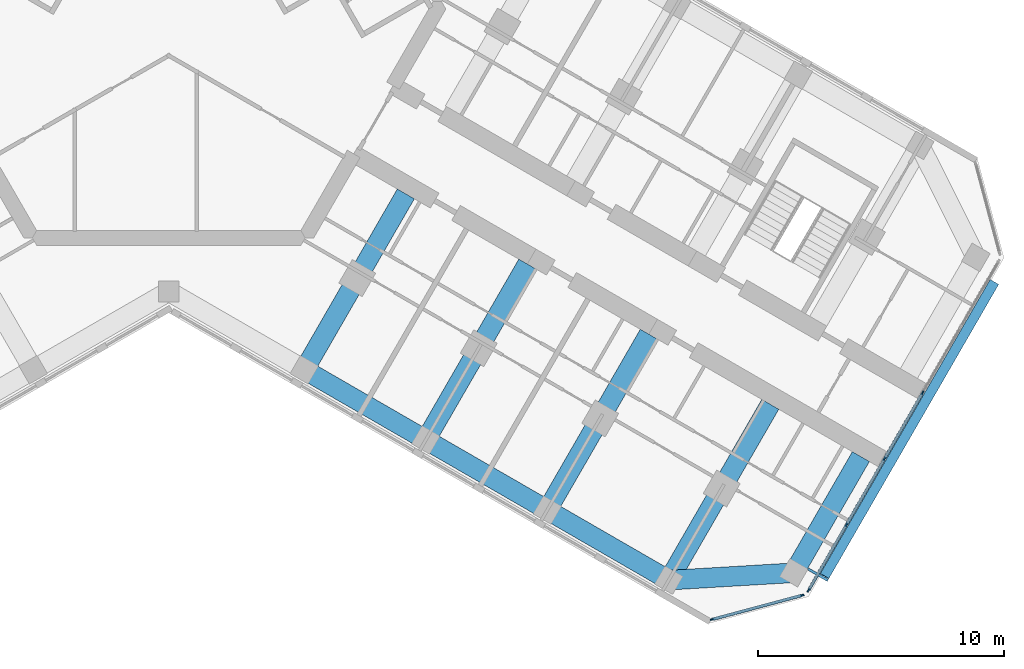
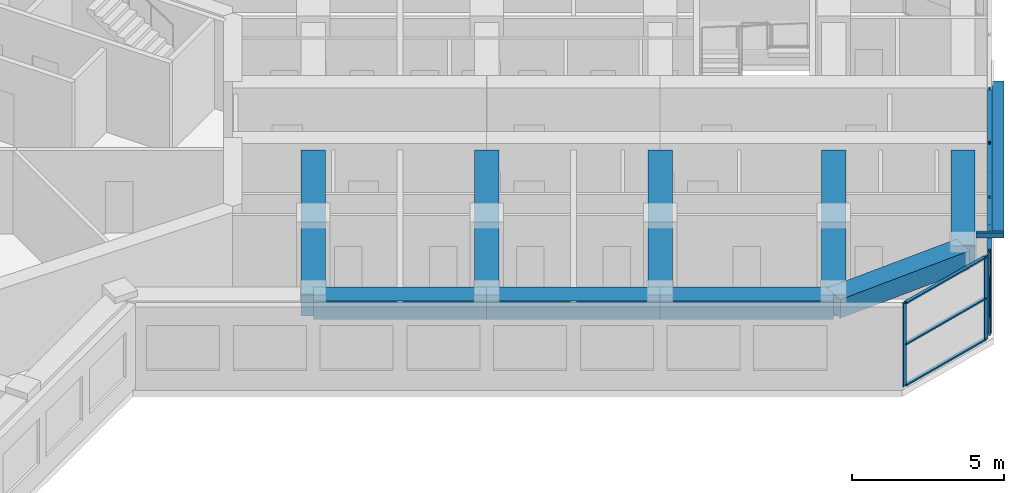
# One storey, part 4 of 16: 17 members, 9 beams, 2 elements without a shape of their own.
"""IFC4 building model written with IfcOpenShell, lengths in metres."""

from ifc_helpers import new_model, si_unit, direction, frame, origin, origin_2d, place, context, subcontext, project, spatial, rectangle, hollow_rectangle, extrude, material, material_profile, profile_set, type_object, element, aggregate, save


model = new_model("IFC4")

# Units and contexts
model_context = context("Model", 3, precision=1e-05, world=origin(), true_north=direction((0.0, 1.0)))
body_context = subcontext(model_context, "Body", "Model", "MODEL_VIEW")
ifc_project = project(units=[si_unit("LENGTHUNIT", "METRE"), si_unit("AREAUNIT", "SQUARE_METRE"), si_unit("VOLUMEUNIT", "CUBIC_METRE"), si_unit("PLANEANGLEUNIT", "RADIAN"), si_unit("MASSUNIT", "GRAM", prefix="KILO")], contexts=[model_context])

# Site, building, storey
site_placement = place(None, origin())
site = spatial("IfcSite", under=ifc_project, at=site_placement, CompositionType="ELEMENT")
building_placement = place(site_placement, origin())
building = spatial("IfcBuilding", under=site, at=building_placement, Name="Kosmar Iwan School Tower", CompositionType="ELEMENT")
storey_placement = place(building_placement, frame((0.0, 0.0, 249.60009765625)))
storey = spatial("IfcBuildingStorey", under=building, at=storey_placement, Name="L63", CompositionType="ELEMENT", Elevation=249.60009765625)

# Members
ifc_material_1 = material(Name="Black anodised aluminium", Category="aluminium")
ifc_material_profile_1 = material_profile(ifc_material_1, rectangle(XDim=0.10009765625, YDim=0.39990234375, at=origin_2d()), Name="FIN 100x400")
ifc_profile_set_1 = profile_set([ifc_material_profile_1], Name="Black anodised aluminium")
member_type_1 = type_object("IfcMemberType", Name="Diagonal fin 100x400", PredefinedType="USERDEFINED", material=ifc_profile_set_1)
member_1_placement = place(storey_placement, frame((33.54345703125, -11.40087890625, -0.150146484375), z_axis=(-0.483793446988, -0.837970316603, 0.25248692866), x_axis=(0.126241714543, 0.218661104574, 0.96760030532)))
element("IfcMember", 1, at=member_1_placement, inside=storey, type_object=member_type_1, Name="Diagonal fin L63-F01", ObjectType="FIN", PredefinedType="USERDEFINED", context=body_context, shape_type="SweptSolid", body=[
    extrude(rectangle(XDim=0.10009765625, YDim=0.39990234375, at=origin_2d()), origin(), (0.0, 0.0, 1.0), 14.258544921875),
])
ifc_material_2 = material(Name="Steel S355", Category="steel")
ifc_material_profile_2 = material_profile(ifc_material_2, hollow_rectangle(XDim=0.10009765625, YDim=0.199951171875, WallThickness=0.008056640625, at=origin_2d()), Name="RHS 200x100x8")
ifc_profile_set_2 = profile_set([ifc_material_profile_2], Name="Steel S355")
member_type_2 = type_object("IfcMemberType", Name="Fin bracket RHS 200x100", PredefinedType="USERDEFINED", material=ifc_profile_set_2)
member_2_placement = place(storey_placement, frame((25.97900390625, -23.052978515625, 3.474853515625), z_axis=(0.865943820382, -0.500141279983, 0.0), x_axis=(0.500141279983, 0.865943820382, 0.0)))
element("IfcMember", 2, at=member_2_placement, inside=storey, type_object=member_type_2, Name="Fin bracket L64", ObjectType="FIN BRACKET", PredefinedType="USERDEFINED", context=body_context, shape_type="SweptSolid", body=[
    extrude(hollow_rectangle(XDim=0.10009765625, YDim=0.199951171875, WallThickness=0.008056640625, at=origin_2d()), origin(), (0.0, 0.0, 1.0), 0.925048828125),
])

# Curtain wall, members
ifc_material_3 = material(Name="Dark glass in black aluminium frame", Category="aluminium")
curtain_wall_type_1 = type_object("IfcCurtainWallType", Name="Chamfer curtain wall dark glass", PredefinedType="USERDEFINED", material=ifc_material_3)
curtain_wall_1_placement = place(storey_placement, origin())
curtain_wall_1 = element("IfcCurtainWall", 3, at=curtain_wall_1_placement, inside=storey, type_object=curtain_wall_type_1, Name="Curtain wall L63-F00", ObjectType="FACETED CURTAIN WALL", PredefinedType="USERDEFINED")
ifc_material_4 = material(Name="Black anodised aluminium", Category="aluminium")
ifc_material_profile_3 = material_profile(ifc_material_4, rectangle(XDim=0.06005859375, YDim=0.159912109375, at=origin_2d()), Name="MULLION 60x160")
ifc_profile_set_3 = profile_set([ifc_material_profile_3], Name="Black anodised aluminium")
member_type_3 = type_object("IfcMemberType", Name="Mullion 60x160", PredefinedType="MULLION", material=ifc_profile_set_3)
member_3_placement = place(storey_placement, frame((22.0830078125, -25.102294921875, 0.0), z_axis=(0.0, 0.0, 1.0), x_axis=(-0.258818861462, 0.965925875495, 0.0)))
member_3 = element("IfcMember", 4, at=member_3_placement, type_object=member_type_3, Name="CW2 mullion 1", PredefinedType="MULLION", context=body_context, shape_type="SweptSolid", body=[
    extrude(rectangle(XDim=0.06005859375, YDim=0.159912109375, at=origin_2d()), origin(), (0.0, 0.0, 1.0), 3.349853515625),
])
member_4_placement = place(storey_placement, frame((25.733154296875, -24.124267578125, 0.0), z_axis=(0.0, 0.0, 1.0), x_axis=(-0.258818861462, 0.965925875495, 0.0)))
member_4 = element("IfcMember", 5, at=member_4_placement, type_object=member_type_3, Name="CW2 mullion 2", PredefinedType="MULLION", context=body_context, shape_type="SweptSolid", body=[
    extrude(rectangle(XDim=0.06005859375, YDim=0.159912109375, at=origin_2d()), origin(), (0.0, 0.0, 1.0), 3.349853515625),
])

ifc_material_5 = material(Name="Dark glass in black aluminium frame", Category="aluminium")
curtain_wall_type_2 = type_object("IfcCurtainWallType", Name="Tower curtain wall dark glass", PredefinedType="USERDEFINED", material=ifc_material_5)
curtain_wall_2_placement = place(storey_placement, origin())
curtain_wall_2 = element("IfcCurtainWall", 6, at=curtain_wall_2_placement, inside=storey, type_object=curtain_wall_type_2, Name="Curtain wall L63-F01", ObjectType="UNITISED CURTAIN WALL", PredefinedType="USERDEFINED")
member_5_placement = place(storey_placement, frame((25.9970703125, -23.921630859375, 0.0), z_axis=(0.0, 0.0, 1.0), x_axis=(-0.866025405329, 0.499999997325, 0.0)))
member_5 = element("IfcMember", 7, at=member_5_placement, type_object=member_type_3, Name="CW1 mullion 1", PredefinedType="MULLION", context=body_context, shape_type="SweptSolid", body=[
    extrude(rectangle(XDim=0.06005859375, YDim=0.159912109375, at=origin_2d()), origin(), (0.0, 0.0, 1.0), 3.349853515625),
])
member_6_placement = place(storey_placement, frame((27.53173828125, -21.263671875, 0.0), z_axis=(0.0, 0.0, 1.0), x_axis=(-0.866025405329, 0.499999997325, 0.0)))
member_6 = element("IfcMember", 8, at=member_6_placement, type_object=member_type_3, Name="CW1 mullion 2", PredefinedType="MULLION", context=body_context, shape_type="SweptSolid", body=[
    extrude(rectangle(XDim=0.06005859375, YDim=0.159912109375, at=origin_2d()), origin(), (0.0, 0.0, 1.0), 3.349853515625),
])
member_7_placement = place(storey_placement, frame((29.081298828125, -18.57958984375, 0.0), z_axis=(0.0, 0.0, 1.0), x_axis=(-0.866025405329, 0.499999997325, 0.0)))
member_7 = element("IfcMember", 9, at=member_7_placement, type_object=member_type_3, Name="CW1 mullion 3", PredefinedType="MULLION", context=body_context, shape_type="SweptSolid", body=[
    extrude(rectangle(XDim=0.06005859375, YDim=0.159912109375, at=origin_2d()), origin(), (0.0, 0.0, 1.0), 3.349853515625),
])
member_8_placement = place(storey_placement, frame((30.631103515625, -15.8955078125, 0.0), z_axis=(0.0, 0.0, 1.0), x_axis=(-0.866025405329, 0.499999997325, 0.0)))
member_8 = element("IfcMember", 10, at=member_8_placement, type_object=member_type_3, Name="CW1 mullion 4", PredefinedType="MULLION", context=body_context, shape_type="SweptSolid", body=[
    extrude(rectangle(XDim=0.06005859375, YDim=0.159912109375, at=origin_2d()), origin(), (0.0, 0.0, 1.0), 3.349853515625),
])

# Beams
ifc_material_6 = material(Name="Concrete C50/60", Category="concrete")
ifc_material_profile_4 = material_profile(ifc_material_6, rectangle(XDim=0.800048828125, YDim=0.75, at=origin_2d()), Name="RC 800x750")
ifc_profile_set_4 = profile_set([ifc_material_profile_4], Name="Concrete C50/60")
beam_type_1 = type_object("IfcBeamType", Name="RC edge beam 800x750", PredefinedType="BEAM", material=ifc_profile_set_4)
beam_1_placement = place(storey_placement, frame((5.5087890625, -14.95849609375, 2.974853515625), z_axis=(0.866033658841, -0.49998570155, 0.0), x_axis=(0.49998570155, 0.866033658841, 0.0)))
element("IfcBeam", 11, at=beam_1_placement, inside=storey, type_object=beam_type_1, Name="Edge beam CR2", PredefinedType="BEAM", context=body_context, shape_type="SweptSolid", body=[
    extrude(rectangle(XDim=0.800048828125, YDim=0.75, at=origin_2d()), origin(), (0.0, 0.0, 1.0), 5.699951171875),
])
beam_2_placement = place(storey_placement, frame((10.445068359375, -17.808349609375, 2.974853515625), z_axis=(0.866025820012, -0.499999279071, 0.0), x_axis=(0.499999279071, 0.866025820012, 0.0)))
element("IfcBeam", 12, at=beam_2_placement, inside=storey, type_object=beam_type_1, Name="Edge beam CR3", PredefinedType="BEAM", context=body_context, shape_type="SweptSolid", body=[
    extrude(rectangle(XDim=0.800048828125, YDim=0.75, at=origin_2d()), origin(), (0.0, 0.0, 1.0), 5.7001953125),
])
beam_3_placement = place(storey_placement, frame((15.381591796875, -20.658447265625, 2.974853515625), z_axis=(0.866015111908, -0.50001782563, 0.0), x_axis=(0.50001782563, 0.866015111908, 0.0)))
element("IfcBeam", 13, at=beam_3_placement, inside=storey, type_object=beam_type_1, Name="Edge beam CR4", PredefinedType="BEAM", context=body_context, shape_type="SweptSolid", body=[
    extrude(rectangle(XDim=0.800048828125, YDim=0.75, at=origin_2d()), origin(), (0.0, 0.0, 1.0), 5.699951171875),
])
ifc_material_7 = material(Name="Concrete C50/60", Category="concrete")
ifc_material_profile_5 = material_profile(ifc_material_7, rectangle(XDim=0.800048828125, YDim=0.75, at=origin_2d()), Name="RC 800x750")
ifc_profile_set_5 = profile_set([ifc_material_profile_5], Name="Concrete C50/60")
beam_type_2 = type_object("IfcBeamType", Name="RC tip beam 800x750", PredefinedType="BEAM", material=ifc_profile_set_5)
beam_4_placement = place(storey_placement, frame((20.31787109375, -23.508544921875, 2.974853515625), z_axis=(0.998260616478, 0.058955420358, 0.0), x_axis=(-0.058955420358, 0.998260616478, 0.0)))
element("IfcBeam", 14, at=beam_4_placement, inside=storey, type_object=beam_type_2, Name="Tip beam CR", PredefinedType="BEAM", context=body_context, shape_type="SweptSolid", body=[
    extrude(rectangle(XDim=0.800048828125, YDim=0.75, at=origin_2d()), origin(), (0.0, 0.0, 1.0), 5.08935546875),
])
beam_5_placement = place(storey_placement, frame((25.3984375, -23.20849609375, 2.974853515625), z_axis=(0.500022328685, 0.866012511928, 0.0), x_axis=(-0.866012511928, 0.500022328685, 0.0)))
element("IfcBeam", 15, at=beam_5_placement, inside=storey, type_object=beam_type_2, Name="Tip beam CR to corridor wall", PredefinedType="BEAM", context=body_context, shape_type="SweptSolid", body=[
    extrude(rectangle(XDim=0.800048828125, YDim=0.75, at=origin_2d()), origin(), (0.0, 0.0, 1.0), 5.449951171875),
])
ifc_material_8 = material(Name="Concrete C50/60", Category="concrete")
ifc_material_profile_6 = material_profile(ifc_material_8, rectangle(XDim=0.800048828125, YDim=0.89990234375, at=origin_2d()), Name="RC 800x900")
ifc_profile_set_6 = profile_set([ifc_material_profile_6], Name="Concrete C50/60")
beam_type_3 = type_object("IfcBeamType", Name="RC transverse beam 800x900", PredefinedType="BEAM", material=ifc_profile_set_6)
beam_6_placement = place(storey_placement, frame((5.5087890625, -14.95849609375, 2.89990234375), z_axis=(0.499996545922, 0.866027397988, 0.0), x_axis=(-0.866027397988, 0.499996545922, 0.0)))
element("IfcBeam", 16, at=beam_6_placement, inside=storey, type_object=beam_type_3, Name="Transverse beam CR1", PredefinedType="BEAM", context=body_context, shape_type="SweptSolid", body=[
    extrude(rectangle(XDim=0.800048828125, YDim=0.89990234375, at=origin_2d()), origin(), (0.0, 0.0, 1.0), 8.25),
])
beam_7_placement = place(storey_placement, frame((10.445068359375, -17.808349609375, 2.89990234375), z_axis=(0.500009360108, 0.866019999656, 0.0), x_axis=(-0.866019999656, 0.500009360108, 0.0)))
element("IfcBeam", 17, at=beam_7_placement, inside=storey, type_object=beam_type_3, Name="Transverse beam CR2", PredefinedType="BEAM", context=body_context, shape_type="SweptSolid", body=[
    extrude(rectangle(XDim=0.800048828125, YDim=0.89990234375, at=origin_2d()), origin(), (0.0, 0.0, 1.0), 8.249755859375),
])
for number, where, z_axis, x_axis, name in (
    (18, (15.381591796875, -20.658447265625, 2.89990234375), (0.499996545922, 0.866027397988, 0.0), (-0.866027397988, 0.499996545922, 0.0), "Transverse beam CR3"),
    (19, (20.31787109375, -23.508544921875, 2.89990234375), (0.499996545922, 0.866027397988, 0.0), (-0.866027397988, 0.499996545922, 0.0), "Transverse beam CR4"),
):
    element("IfcBeam", number, at=place(storey_placement, frame(where, z_axis=z_axis, x_axis=x_axis)), inside=storey, type_object=beam_type_3, Name=name, PredefinedType="BEAM", context=body_context, shape_type="SweptSolid", body=[
        extrude(rectangle(XDim=0.800048828125, YDim=0.89990234375, at=origin_2d()), origin(), (0.0, 0.0, 1.0), 8.25),
    ])

# Member
ifc_material_9 = material(Name="Black anodised aluminium", Category="aluminium")
ifc_material_profile_7 = material_profile(ifc_material_9, rectangle(XDim=0.1201171875, YDim=0.06005859375, at=origin_2d()), Name="TRANSOM 60x120")
ifc_profile_set_7 = profile_set([ifc_material_profile_7], Name="Black anodised aluminium")
member_type_4 = type_object("IfcMemberType", Name="Transom 60x120", PredefinedType="USERDEFINED", material=ifc_profile_set_7)
member_9_placement = place(storey_placement, frame((22.11181640625, -25.094482421875, 0.02978515625), z_axis=(0.965923731726, 0.258826861991, 0.0), x_axis=(-0.258826861991, 0.965923731726, 0.0)))
member_9 = element("IfcMember", 20, at=member_9_placement, type_object=member_type_4, Name="CW2 transom 1.1", ObjectType="TRANSOM", PredefinedType="USERDEFINED", context=body_context, shape_type="SweptSolid", body=[
    extrude(rectangle(XDim=0.1201171875, YDim=0.06005859375, at=origin_2d()), origin(), (0.0, 0.0, 1.0), 3.71923828125),
])

member_10_placement = place(storey_placement, frame((22.11181640625, -25.094482421875, 1.6748046875), z_axis=(0.965923731726, 0.258826861991, 0.0), x_axis=(-0.258826861991, 0.965923731726, 0.0)))
member_10 = element("IfcMember", 21, at=member_10_placement, type_object=member_type_4, Name="CW2 transom 1.2", ObjectType="TRANSOM", PredefinedType="USERDEFINED", context=body_context, shape_type="SweptSolid", body=[
    extrude(rectangle(XDim=0.1201171875, YDim=0.06005859375, at=origin_2d()), origin(), (0.0, 0.0, 1.0), 3.71923828125),
])

member_11_placement = place(storey_placement, frame((22.11181640625, -25.094482421875, 3.31982421875), z_axis=(0.965923731726, 0.258826861991, 0.0), x_axis=(-0.258826861991, 0.965923731726, 0.0)))
member_11 = element("IfcMember", 22, at=member_11_placement, type_object=member_type_4, Name="CW2 transom 1.3", ObjectType="TRANSOM", PredefinedType="USERDEFINED", context=body_context, shape_type="SweptSolid", body=[
    extrude(rectangle(XDim=0.1201171875, YDim=0.06005859375, at=origin_2d()), origin(), (0.0, 0.0, 1.0), 3.71923828125),
])

aggregate(curtain_wall_1, [member_3, member_4, member_9, member_10, member_11])

member_12_placement = place(storey_placement, frame((26.01220703125, -23.895751953125, 0.02978515625), z_axis=(0.499986971506, 0.866032925658, 0.0), x_axis=(-0.866032925658, 0.499986971506, 0.0)))
member_12 = element("IfcMember", 23, at=member_12_placement, type_object=member_type_4, Name="CW1 transom 1.1", ObjectType="TRANSOM", PredefinedType="USERDEFINED", context=body_context, shape_type="SweptSolid", body=[
    extrude(rectangle(XDim=0.1201171875, YDim=0.06005859375, at=origin_2d()), origin(), (0.0, 0.0, 1.0), 3.00927734375),
])

member_13_placement = place(storey_placement, frame((26.01220703125, -23.895751953125, 3.31982421875), z_axis=(0.499986971506, 0.866032925658, 0.0), x_axis=(-0.866032925658, 0.499986971506, 0.0)))
member_13 = element("IfcMember", 24, at=member_13_placement, type_object=member_type_4, Name="CW1 transom 1.2", ObjectType="TRANSOM", PredefinedType="USERDEFINED", context=body_context, shape_type="SweptSolid", body=[
    extrude(rectangle(XDim=0.1201171875, YDim=0.06005859375, at=origin_2d()), origin(), (0.0, 0.0, 1.0), 3.00927734375),
])

member_14_placement = place(storey_placement, frame((27.546875, -21.237548828125, 0.02978515625), z_axis=(0.499975102327, 0.866039777986, 0.0), x_axis=(-0.866039777986, 0.499975102327, 0.0)))
member_14 = element("IfcMember", 25, at=member_14_placement, type_object=member_type_4, Name="CW1 transom 2.1", ObjectType="TRANSOM", PredefinedType="USERDEFINED", context=body_context, shape_type="SweptSolid", body=[
    extrude(rectangle(XDim=0.1201171875, YDim=0.06005859375, at=origin_2d()), origin(), (0.0, 0.0, 1.0), 3.039306640625),
])

member_15_placement = place(storey_placement, frame((27.546875, -21.237548828125, 3.31982421875), z_axis=(0.499975102327, 0.866039777986, 0.0), x_axis=(-0.866039777986, 0.499975102327, 0.0)))
member_15 = element("IfcMember", 26, at=member_15_placement, type_object=member_type_4, Name="CW1 transom 2.2", ObjectType="TRANSOM", PredefinedType="USERDEFINED", context=body_context, shape_type="SweptSolid", body=[
    extrude(rectangle(XDim=0.1201171875, YDim=0.06005859375, at=origin_2d()), origin(), (0.0, 0.0, 1.0), 3.039306640625),
])

member_16_placement = place(storey_placement, frame((29.096435546875, -18.553466796875, 0.02978515625), z_axis=(0.499975102327, 0.866039777986, 0.0), x_axis=(-0.866039777986, 0.499975102327, 0.0)))
member_16 = element("IfcMember", 27, at=member_16_placement, type_object=member_type_4, Name="CW1 transom 3.1", ObjectType="TRANSOM", PredefinedType="USERDEFINED", context=body_context, shape_type="SweptSolid", body=[
    extrude(rectangle(XDim=0.1201171875, YDim=0.06005859375, at=origin_2d()), origin(), (0.0, 0.0, 1.0), 3.039306640625),
])

member_17_placement = place(storey_placement, frame((29.096435546875, -18.553466796875, 3.31982421875), z_axis=(0.499975102327, 0.866039777986, 0.0), x_axis=(-0.866039777986, 0.499975102327, 0.0)))
member_17 = element("IfcMember", 28, at=member_17_placement, type_object=member_type_4, Name="CW1 transom 3.2", ObjectType="TRANSOM", PredefinedType="USERDEFINED", context=body_context, shape_type="SweptSolid", body=[
    extrude(rectangle(XDim=0.1201171875, YDim=0.06005859375, at=origin_2d()), origin(), (0.0, 0.0, 1.0), 3.039306640625),
])

aggregate(curtain_wall_2, [member_5, member_6, member_7, member_8, member_12, member_13, member_14, member_15, member_16, member_17])

save(model, "model.ifc")
